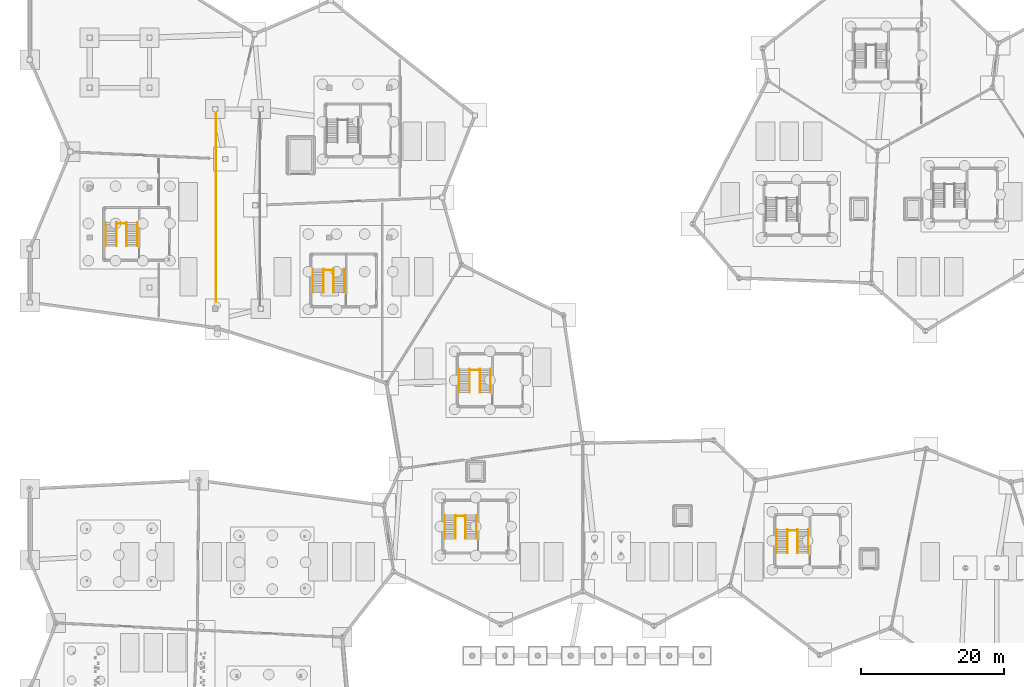
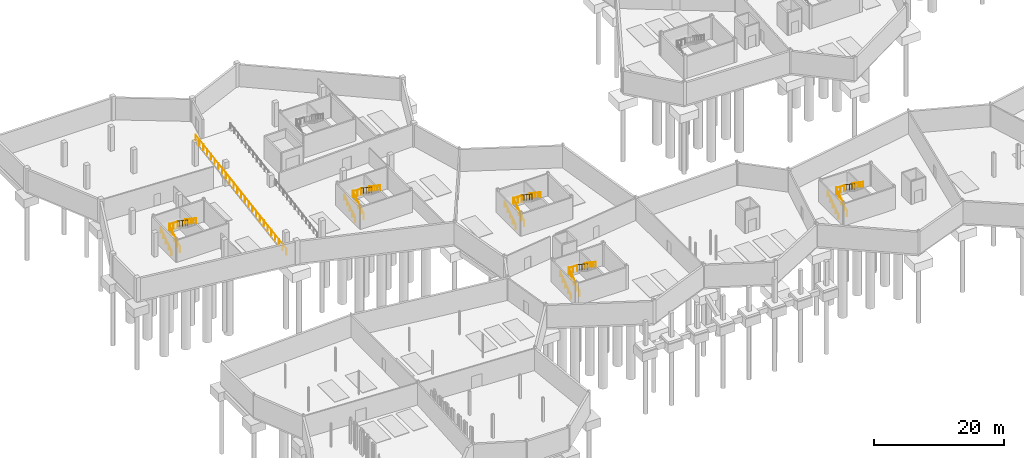
# One storey, part 35 of 37: 26 railings.
"""IFC4 building model written with IfcOpenShell, lengths in metres."""

from ifc_helpers import new_model, si_unit, direction, frame, origin, origin_2d, place, context, subcontext, project, spatial, circle, extrude, material, layer, layer_set, type_object, element, save


model = new_model("IFC4")

# Units and contexts
model_context = context("Model", 3, precision=1e-05, world=origin(), true_north=direction((0.0, 1.0)))
body_context = subcontext(model_context, "Body", "Model", "MODEL_VIEW")
ifc_project = project(units=[si_unit("LENGTHUNIT", "METRE"), si_unit("AREAUNIT", "SQUARE_METRE"), si_unit("VOLUMEUNIT", "CUBIC_METRE"), si_unit("PLANEANGLEUNIT", "RADIAN"), si_unit("MASSUNIT", "GRAM", prefix="KILO")], contexts=[model_context])

# Site, building, storey
site_placement = place(None, origin())
site = spatial("IfcSite", under=ifc_project, at=site_placement, CompositionType="ELEMENT")
building_placement = place(site_placement, origin())
building = spatial("IfcBuilding", under=site, at=building_placement, Name="Tameran Prism Museum", CompositionType="ELEMENT")
storey_placement = place(building_placement, frame((0.0, 0.0, -4.5)))
storey = spatial("IfcBuildingStorey", under=building, at=storey_placement, Name="B1", CompositionType="ELEMENT", Elevation=-4.5)

# Railings
ifc_material_1 = material(Name="Marine Stainless Steel 316", Category="steel")
ifc_layer_1 = layer(ifc_material_1, 0.054931640625)
ifc_layer_set_1 = layer_set([ifc_layer_1])
railing_type_1 = type_object("IfcRailingType", Name="RL-GR-1120", PredefinedType="GUARDRAIL", material=ifc_layer_set_1)
railing_1_placement = place(storey_placement, frame((59.669921875, 34.780029296875, 0.0)))
element("IfcRailing", 1, at=railing_1_placement, inside=storey, type_object=railing_type_1, Name="Stair Well Guardrail GR-S085", PredefinedType="GUARDRAIL", context=body_context, shape_type="SweptSolid", body=[
    extrude(circle(Radius=0.02392578125, at=origin_2d()), frame((0.0, 0.0, 1.1259765625), z_axis=(0.0, 0.827409030038, 0.561599765858), x_axis=(-1.0, 0.0, 0.0)), (0.0, 0.0, 1.0), 4.00634765625),
    extrude(circle(Radius=0.02099609375, at=origin_2d()), origin(), (0.0, 0.0, 1.0), 1.101806640625),
    extrude(circle(Radius=0.02099609375, at=origin_2d()), frame((0.0, 0.82861328125, 0.5625)), (0.0, 0.0, 1.0), 1.101806640625),
    extrude(circle(Radius=0.02099609375, at=origin_2d()), frame((0.0, 1.657470703125, 1.125)), (0.0, 0.0, 1.0), 1.101806640625),
    extrude(circle(Radius=0.02099609375, at=origin_2d()), frame((0.0, 2.486328125, 1.6875)), (0.0, 0.0, 1.0), 1.101806640625),
    extrude(circle(Radius=0.02099609375, at=origin_2d()), frame((0.0, 3.31494140625, 2.25)), (0.0, 0.0, 1.0), 1.101806640625),
])
railing_2_placement = place(storey_placement, frame((61.080078125, 38.094970703125, 2.25)))
element("IfcRailing", 2, at=railing_2_placement, inside=storey, type_object=railing_type_1, Name="Stair Well Guardrail GR-S086", PredefinedType="GUARDRAIL", context=body_context, shape_type="SweptSolid", body=[
    extrude(circle(Radius=0.02392578125, at=origin_2d()), frame((0.0, 0.0, 1.1259765625), z_axis=(0.0, -0.827409030038, 0.561599765858), x_axis=(1.0, 0.0, 0.0)), (0.0, 0.0, 1.0), 4.00634765625),
    extrude(circle(Radius=0.02099609375, at=origin_2d()), origin(), (0.0, 0.0, 1.0), 1.101806640625),
    extrude(circle(Radius=0.02099609375, at=origin_2d()), frame((0.0, -0.82861328125, 0.5625)), (0.0, 0.0, 1.0), 1.101806640625),
    extrude(circle(Radius=0.02099609375, at=origin_2d()), frame((0.0, -1.657470703125, 1.125)), (0.0, 0.0, 1.0), 1.101806640625),
    extrude(circle(Radius=0.02099609375, at=origin_2d()), frame((0.0, -2.486328125, 1.6875)), (0.0, 0.0, 1.0), 1.101806640625),
    extrude(circle(Radius=0.02099609375, at=origin_2d()), frame((0.0, -3.31494140625, 2.25)), (0.0, 0.0, 1.0), 1.101806640625),
])
railing_3_placement = place(storey_placement, frame((59.64990234375, 37.955078125, 2.25)))
element("IfcRailing", 3, at=railing_3_placement, inside=storey, type_object=railing_type_1, Name="Landing Well Guardrail GR-S087", PredefinedType="GUARDRAIL", context=body_context, shape_type="SweptSolid", body=[
    extrude(circle(Radius=0.02392578125, at=origin_2d()), frame((0.0, 0.0, 1.1259765625), z_axis=(1.0, 0.0, 0.0), x_axis=(0.0, 1.0, 0.0)), (0.0, 0.0, 1.0), 1.4501953125),
    extrude(circle(Radius=0.02099609375, at=origin_2d()), origin(), (0.0, 0.0, 1.0), 1.101806640625),
    extrude(circle(Radius=0.02099609375, at=origin_2d()), frame((0.72509765625, 0.0, 0.0)), (0.0, 0.0, 1.0), 1.101806640625),
    extrude(circle(Radius=0.02099609375, at=origin_2d()), frame((1.4501953125, 0.0, 0.0)), (0.0, 0.0, 1.0), 1.101806640625),
])
railing_4_placement = place(storey_placement, frame((61.669921875, 55.280029296875, 0.0)))
element("IfcRailing", 4, at=railing_4_placement, inside=storey, type_object=railing_type_1, Name="Stair Well Guardrail GR-S105", PredefinedType="GUARDRAIL", context=body_context, shape_type="SweptSolid", body=[
    extrude(circle(Radius=0.02392578125, at=origin_2d()), frame((0.0, 0.0, 1.1259765625), z_axis=(0.0, 0.827409030038, 0.561599765858), x_axis=(-1.0, 0.0, 0.0)), (0.0, 0.0, 1.0), 4.00634765625),
    extrude(circle(Radius=0.02099609375, at=origin_2d()), origin(), (0.0, 0.0, 1.0), 1.101806640625),
    extrude(circle(Radius=0.02099609375, at=origin_2d()), frame((0.0, 0.82861328125, 0.5625)), (0.0, 0.0, 1.0), 1.101806640625),
    extrude(circle(Radius=0.02099609375, at=origin_2d()), frame((0.0, 1.657470703125, 1.125)), (0.0, 0.0, 1.0), 1.101806640625),
    extrude(circle(Radius=0.02099609375, at=origin_2d()), frame((0.0, 2.486328125, 1.6875)), (0.0, 0.0, 1.0), 1.101806640625),
    extrude(circle(Radius=0.02099609375, at=origin_2d()), frame((0.0, 3.31494140625, 2.25)), (0.0, 0.0, 1.0), 1.101806640625),
])
railing_5_placement = place(storey_placement, frame((63.080078125, 58.594970703125, 2.25)))
element("IfcRailing", 5, at=railing_5_placement, inside=storey, type_object=railing_type_1, Name="Stair Well Guardrail GR-S106", PredefinedType="GUARDRAIL", context=body_context, shape_type="SweptSolid", body=[
    extrude(circle(Radius=0.02392578125, at=origin_2d()), frame((0.0, 0.0, 1.1259765625), z_axis=(0.0, -0.827409030038, 0.561599765858), x_axis=(1.0, 0.0, 0.0)), (0.0, 0.0, 1.0), 4.00634765625),
    extrude(circle(Radius=0.02099609375, at=origin_2d()), origin(), (0.0, 0.0, 1.0), 1.101806640625),
    extrude(circle(Radius=0.02099609375, at=origin_2d()), frame((0.0, -0.82861328125, 0.5625)), (0.0, 0.0, 1.0), 1.101806640625),
    extrude(circle(Radius=0.02099609375, at=origin_2d()), frame((0.0, -1.657470703125, 1.125)), (0.0, 0.0, 1.0), 1.101806640625),
    extrude(circle(Radius=0.02099609375, at=origin_2d()), frame((0.0, -2.486328125, 1.6875)), (0.0, 0.0, 1.0), 1.101806640625),
    extrude(circle(Radius=0.02099609375, at=origin_2d()), frame((0.0, -3.31494140625, 2.25)), (0.0, 0.0, 1.0), 1.101806640625),
])
railing_6_placement = place(storey_placement, frame((61.64990234375, 58.455078125, 2.25)))
element("IfcRailing", 6, at=railing_6_placement, inside=storey, type_object=railing_type_1, Name="Landing Well Guardrail GR-S107", PredefinedType="GUARDRAIL", context=body_context, shape_type="SweptSolid", body=[
    extrude(circle(Radius=0.02392578125, at=origin_2d()), frame((0.0, 0.0, 1.1259765625), z_axis=(1.0, 0.0, 0.0), x_axis=(0.0, 1.0, 0.0)), (0.0, 0.0, 1.0), 1.4501953125),
    extrude(circle(Radius=0.02099609375, at=origin_2d()), origin(), (0.0, 0.0, 1.0), 1.101806640625),
    extrude(circle(Radius=0.02099609375, at=origin_2d()), frame((0.72509765625, 0.0, 0.0)), (0.0, 0.0, 1.0), 1.101806640625),
    extrude(circle(Radius=0.02099609375, at=origin_2d()), frame((1.4501953125, 0.0, 0.0)), (0.0, 0.0, 1.0), 1.101806640625),
])
railing_7_placement = place(storey_placement, frame((106.169921875, 32.780029296875, 0.0)))
element("IfcRailing", 7, at=railing_7_placement, inside=storey, type_object=railing_type_1, Name="Stair Well Guardrail GR-S121", PredefinedType="GUARDRAIL", context=body_context, shape_type="SweptSolid", body=[
    extrude(circle(Radius=0.02392578125, at=origin_2d()), frame((0.0, 0.0, 1.1259765625), z_axis=(0.0, 0.827409030038, 0.561599765858), x_axis=(-1.0, 0.0, 0.0)), (0.0, 0.0, 1.0), 4.00634765625),
    extrude(circle(Radius=0.02099609375, at=origin_2d()), origin(), (0.0, 0.0, 1.0), 1.101806640625),
    extrude(circle(Radius=0.02099609375, at=origin_2d()), frame((0.0, 0.82861328125, 0.5625)), (0.0, 0.0, 1.0), 1.101806640625),
    extrude(circle(Radius=0.02099609375, at=origin_2d()), frame((0.0, 1.657470703125, 1.125)), (0.0, 0.0, 1.0), 1.101806640625),
    extrude(circle(Radius=0.02099609375, at=origin_2d()), frame((0.0, 2.486328125, 1.6875)), (0.0, 0.0, 1.0), 1.101806640625),
    extrude(circle(Radius=0.02099609375, at=origin_2d()), frame((0.0, 3.31494140625, 2.25)), (0.0, 0.0, 1.0), 1.101806640625),
])
railing_8_placement = place(storey_placement, frame((107.580078125, 36.094970703125, 2.25)))
element("IfcRailing", 8, at=railing_8_placement, inside=storey, type_object=railing_type_1, Name="Stair Well Guardrail GR-S122", PredefinedType="GUARDRAIL", context=body_context, shape_type="SweptSolid", body=[
    extrude(circle(Radius=0.02392578125, at=origin_2d()), frame((0.0, 0.0, 1.1259765625), z_axis=(0.0, -0.827409030038, 0.561599765858), x_axis=(1.0, 0.0, 0.0)), (0.0, 0.0, 1.0), 4.00634765625),
    extrude(circle(Radius=0.02099609375, at=origin_2d()), origin(), (0.0, 0.0, 1.0), 1.101806640625),
    extrude(circle(Radius=0.02099609375, at=origin_2d()), frame((0.0, -0.82861328125, 0.5625)), (0.0, 0.0, 1.0), 1.101806640625),
    extrude(circle(Radius=0.02099609375, at=origin_2d()), frame((0.0, -1.657470703125, 1.125)), (0.0, 0.0, 1.0), 1.101806640625),
    extrude(circle(Radius=0.02099609375, at=origin_2d()), frame((0.0, -2.486328125, 1.6875)), (0.0, 0.0, 1.0), 1.101806640625),
    extrude(circle(Radius=0.02099609375, at=origin_2d()), frame((0.0, -3.31494140625, 2.25)), (0.0, 0.0, 1.0), 1.101806640625),
])
railing_9_placement = place(storey_placement, frame((106.14990234375, 35.955078125, 2.25)))
element("IfcRailing", 9, at=railing_9_placement, inside=storey, type_object=railing_type_1, Name="Landing Well Guardrail GR-S123", PredefinedType="GUARDRAIL", context=body_context, shape_type="SweptSolid", body=[
    extrude(circle(Radius=0.02392578125, at=origin_2d()), frame((0.0, 0.0, 1.1259765625), z_axis=(1.0, 0.0, 0.0), x_axis=(0.0, 1.0, 0.0)), (0.0, 0.0, 1.0), 1.4501953125),
    extrude(circle(Radius=0.02099609375, at=origin_2d()), origin(), (0.0, 0.0, 1.0), 1.101806640625),
    extrude(circle(Radius=0.02099609375, at=origin_2d()), frame((0.72509765625, 0.0, 0.0)), (0.0, 0.0, 1.0), 1.101806640625),
    extrude(circle(Radius=0.02099609375, at=origin_2d()), frame((1.4501953125, 0.0, 0.0)), (0.0, 0.0, 1.0), 1.101806640625),
])
railing_10_placement = place(storey_placement, frame((41.169921875, 69.280029296875, 0.0)))
element("IfcRailing", 10, at=railing_10_placement, inside=storey, type_object=railing_type_1, Name="Stair Well Guardrail GR-S137", PredefinedType="GUARDRAIL", context=body_context, shape_type="SweptSolid", body=[
    extrude(circle(Radius=0.02392578125, at=origin_2d()), frame((0.0, 0.0, 1.1259765625), z_axis=(0.0, 0.827409030038, 0.561599765858), x_axis=(-1.0, 0.0, 0.0)), (0.0, 0.0, 1.0), 4.00634765625),
    extrude(circle(Radius=0.02099609375, at=origin_2d()), origin(), (0.0, 0.0, 1.0), 1.101806640625),
    extrude(circle(Radius=0.02099609375, at=origin_2d()), frame((0.0, 0.82861328125, 0.5625)), (0.0, 0.0, 1.0), 1.101806640625),
    extrude(circle(Radius=0.02099609375, at=origin_2d()), frame((0.0, 1.657470703125, 1.125)), (0.0, 0.0, 1.0), 1.101806640625),
    extrude(circle(Radius=0.02099609375, at=origin_2d()), frame((0.0, 2.486328125, 1.6875)), (0.0, 0.0, 1.0), 1.101806640625),
    extrude(circle(Radius=0.02099609375, at=origin_2d()), frame((0.0, 3.31494140625, 2.25)), (0.0, 0.0, 1.0), 1.101806640625),
])
railing_11_placement = place(storey_placement, frame((42.580078125, 72.594970703125, 2.25)))
element("IfcRailing", 11, at=railing_11_placement, inside=storey, type_object=railing_type_1, Name="Stair Well Guardrail GR-S138", PredefinedType="GUARDRAIL", context=body_context, shape_type="SweptSolid", body=[
    extrude(circle(Radius=0.02392578125, at=origin_2d()), frame((0.0, 0.0, 1.1259765625), z_axis=(0.0, -0.827409030038, 0.561599765858), x_axis=(1.0, 0.0, 0.0)), (0.0, 0.0, 1.0), 4.00634765625),
    extrude(circle(Radius=0.02099609375, at=origin_2d()), origin(), (0.0, 0.0, 1.0), 1.101806640625),
    extrude(circle(Radius=0.02099609375, at=origin_2d()), frame((0.0, -0.82861328125, 0.5625)), (0.0, 0.0, 1.0), 1.101806640625),
    extrude(circle(Radius=0.02099609375, at=origin_2d()), frame((0.0, -1.657470703125, 1.125)), (0.0, 0.0, 1.0), 1.101806640625),
    extrude(circle(Radius=0.02099609375, at=origin_2d()), frame((0.0, -2.486328125, 1.6875)), (0.0, 0.0, 1.0), 1.101806640625),
    extrude(circle(Radius=0.02099609375, at=origin_2d()), frame((0.0, -3.31494140625, 2.25)), (0.0, 0.0, 1.0), 1.101806640625),
])
railing_12_placement = place(storey_placement, frame((41.14990234375, 72.455078125, 2.25)))
element("IfcRailing", 12, at=railing_12_placement, inside=storey, type_object=railing_type_1, Name="Landing Well Guardrail GR-S139", PredefinedType="GUARDRAIL", context=body_context, shape_type="SweptSolid", body=[
    extrude(circle(Radius=0.02392578125, at=origin_2d()), frame((0.0, 0.0, 1.1259765625), z_axis=(1.0, 0.0, 0.0), x_axis=(0.0, 1.0, 0.0)), (0.0, 0.0, 1.0), 1.4501953125),
    extrude(circle(Radius=0.02099609375, at=origin_2d()), origin(), (0.0, 0.0, 1.0), 1.101806640625),
    extrude(circle(Radius=0.02099609375, at=origin_2d()), frame((0.72509765625, 0.0, 0.0)), (0.0, 0.0, 1.0), 1.101806640625),
    extrude(circle(Radius=0.02099609375, at=origin_2d()), frame((1.4501953125, 0.0, 0.0)), (0.0, 0.0, 1.0), 1.101806640625),
])
railing_13_placement = place(storey_placement, frame((12.169921875, 75.780029296875, 0.0)))
element("IfcRailing", 13, at=railing_13_placement, inside=storey, type_object=railing_type_1, Name="Stair Well Guardrail GR-S161", PredefinedType="GUARDRAIL", context=body_context, shape_type="SweptSolid", body=[
    extrude(circle(Radius=0.02392578125, at=origin_2d()), frame((0.0, 0.0, 1.1259765625), z_axis=(0.0, 0.827409030038, 0.561599765858), x_axis=(-1.0, 0.0, 0.0)), (0.0, 0.0, 1.0), 4.00634765625),
    extrude(circle(Radius=0.02099609375, at=origin_2d()), origin(), (0.0, 0.0, 1.0), 1.101806640625),
    extrude(circle(Radius=0.02099609375, at=origin_2d()), frame((0.0, 0.82861328125, 0.5625)), (0.0, 0.0, 1.0), 1.101806640625),
    extrude(circle(Radius=0.02099609375, at=origin_2d()), frame((0.0, 1.657470703125, 1.125)), (0.0, 0.0, 1.0), 1.101806640625),
    extrude(circle(Radius=0.02099609375, at=origin_2d()), frame((0.0, 2.486328125, 1.6875)), (0.0, 0.0, 1.0), 1.101806640625),
    extrude(circle(Radius=0.02099609375, at=origin_2d()), frame((0.0, 3.31494140625, 2.25)), (0.0, 0.0, 1.0), 1.101806640625),
])
railing_14_placement = place(storey_placement, frame((13.580078125, 79.094970703125, 2.25)))
element("IfcRailing", 14, at=railing_14_placement, inside=storey, type_object=railing_type_1, Name="Stair Well Guardrail GR-S162", PredefinedType="GUARDRAIL", context=body_context, shape_type="SweptSolid", body=[
    extrude(circle(Radius=0.02392578125, at=origin_2d()), frame((0.0, 0.0, 1.1259765625), z_axis=(0.0, -0.827409030038, 0.561599765858), x_axis=(1.0, 0.0, 0.0)), (0.0, 0.0, 1.0), 4.00634765625),
    extrude(circle(Radius=0.02099609375, at=origin_2d()), origin(), (0.0, 0.0, 1.0), 1.101806640625),
    extrude(circle(Radius=0.02099609375, at=origin_2d()), frame((0.0, -0.82861328125, 0.5625)), (0.0, 0.0, 1.0), 1.101806640625),
    extrude(circle(Radius=0.02099609375, at=origin_2d()), frame((0.0, -1.657470703125, 1.125)), (0.0, 0.0, 1.0), 1.101806640625),
    extrude(circle(Radius=0.02099609375, at=origin_2d()), frame((0.0, -2.486328125, 1.6875)), (0.0, 0.0, 1.0), 1.101806640625),
    extrude(circle(Radius=0.02099609375, at=origin_2d()), frame((0.0, -3.31494140625, 2.25)), (0.0, 0.0, 1.0), 1.101806640625),
])
railing_15_placement = place(storey_placement, frame((12.14990234375, 78.955078125, 2.25)))
element("IfcRailing", 15, at=railing_15_placement, inside=storey, type_object=railing_type_1, Name="Landing Well Guardrail GR-S163", PredefinedType="GUARDRAIL", context=body_context, shape_type="SweptSolid", body=[
    extrude(circle(Radius=0.02392578125, at=origin_2d()), frame((0.0, 0.0, 1.1259765625), z_axis=(1.0, 0.0, 0.0), x_axis=(0.0, 1.0, 0.0)), (0.0, 0.0, 1.0), 1.4501953125),
    extrude(circle(Radius=0.02099609375, at=origin_2d()), origin(), (0.0, 0.0, 1.0), 1.101806640625),
    extrude(circle(Radius=0.02099609375, at=origin_2d()), frame((0.72509765625, 0.0, 0.0)), (0.0, 0.0, 1.0), 1.101806640625),
    extrude(circle(Radius=0.02099609375, at=origin_2d()), frame((1.4501953125, 0.0, 0.0)), (0.0, 0.0, 1.0), 1.101806640625),
])
railing_16_placement = place(storey_placement, frame((26.10009765625, 67.0, 0.0)))
element("IfcRailing", 16, at=railing_16_placement, inside=storey, type_object=railing_type_1, Name="Ramp Flight Guardrail GR-RS01", PredefinedType="GUARDRAIL", context=body_context, shape_type="SweptSolid", body=[
    extrude(circle(Radius=0.02392578125, at=origin_2d()), frame((0.0, 0.0, 1.1259765625), z_axis=(0.0, 0.987330371277, 0.158678095384), x_axis=(-1.0, 0.0, 0.0)), (0.0, 0.0, 1.0), 28.359375),
    extrude(circle(Radius=0.02099609375, at=origin_2d()), origin(), (0.0, 0.0, 1.0), 1.101806640625),
    extrude(circle(Radius=0.02099609375, at=origin_2d()), frame((0.0, 1.166748046875, 0.1875)), (0.0, 0.0, 1.0), 1.101806640625),
    extrude(circle(Radius=0.02099609375, at=origin_2d()), frame((0.0, 2.333251953125, 0.375)), (0.0, 0.0, 1.0), 1.101806640625),
    extrude(circle(Radius=0.02099609375, at=origin_2d()), frame((0.0, 3.5, 0.5625)), (0.0, 0.0, 1.0), 1.101806640625),
    extrude(circle(Radius=0.02099609375, at=origin_2d()), frame((0.0, 4.666748046875, 0.75)), (0.0, 0.0, 1.0), 1.101806640625),
    extrude(circle(Radius=0.02099609375, at=origin_2d()), frame((0.0, 5.833251953125, 0.9375)), (0.0, 0.0, 1.0), 1.101806640625),
    extrude(circle(Radius=0.02099609375, at=origin_2d()), frame((0.0, 7.0, 1.125)), (0.0, 0.0, 1.0), 1.101806640625),
    extrude(circle(Radius=0.02099609375, at=origin_2d()), frame((0.0, 8.166748046875, 1.3125)), (0.0, 0.0, 1.0), 1.101806640625),
    extrude(circle(Radius=0.02099609375, at=origin_2d()), frame((0.0, 9.333251953125, 1.5)), (0.0, 0.0, 1.0), 1.101806640625),
    extrude(circle(Radius=0.02099609375, at=origin_2d()), frame((0.0, 10.5, 1.6875)), (0.0, 0.0, 1.0), 1.101806640625),
    extrude(circle(Radius=0.02099609375, at=origin_2d()), frame((0.0, 11.666748046875, 1.875)), (0.0, 0.0, 1.0), 1.101806640625),
    extrude(circle(Radius=0.02099609375, at=origin_2d()), frame((0.0, 12.833251953125, 2.0625)), (0.0, 0.0, 1.0), 1.101806640625),
    extrude(circle(Radius=0.02099609375, at=origin_2d()), frame((0.0, 14.0, 2.25)), (0.0, 0.0, 1.0), 1.101806640625),
    extrude(circle(Radius=0.02099609375, at=origin_2d()), frame((0.0, 15.166748046875, 2.4375)), (0.0, 0.0, 1.0), 1.101806640625),
    extrude(circle(Radius=0.02099609375, at=origin_2d()), frame((0.0, 16.333251953125, 2.625)), (0.0, 0.0, 1.0), 1.101806640625),
    extrude(circle(Radius=0.02099609375, at=origin_2d()), frame((0.0, 17.5, 2.8125)), (0.0, 0.0, 1.0), 1.101806640625),
    extrude(circle(Radius=0.02099609375, at=origin_2d()), frame((0.0, 18.666748046875, 3.0)), (0.0, 0.0, 1.0), 1.101806640625),
    extrude(circle(Radius=0.02099609375, at=origin_2d()), frame((0.0, 19.833251953125, 3.1875)), (0.0, 0.0, 1.0), 1.101806640625),
    extrude(circle(Radius=0.02099609375, at=origin_2d()), frame((0.0, 21.0, 3.375)), (0.0, 0.0, 1.0), 1.101806640625),
    extrude(circle(Radius=0.02099609375, at=origin_2d()), frame((0.0, 22.166748046875, 3.5625)), (0.0, 0.0, 1.0), 1.101806640625),
    extrude(circle(Radius=0.02099609375, at=origin_2d()), frame((0.0, 23.333251953125, 3.75)), (0.0, 0.0, 1.0), 1.101806640625),
    extrude(circle(Radius=0.02099609375, at=origin_2d()), frame((0.0, 24.5, 3.9375)), (0.0, 0.0, 1.0), 1.101806640625),
    extrude(circle(Radius=0.02099609375, at=origin_2d()), frame((0.0, 25.666748046875, 4.125)), (0.0, 0.0, 1.0), 1.101806640625),
    extrude(circle(Radius=0.02099609375, at=origin_2d()), frame((0.0, 26.833251953125, 4.3125)), (0.0, 0.0, 1.0), 1.101806640625),
    extrude(circle(Radius=0.02099609375, at=origin_2d()), frame((0.0, 28.0, 4.5)), (0.0, 0.0, 1.0), 1.101806640625),
])
ifc_material_2 = material(Name="Brushed Stainless Steel 316", Category="steel")
ifc_layer_2 = layer(ifc_material_2, 0.048095703125)
ifc_layer_set_2 = layer_set([ifc_layer_2])
railing_type_2 = type_object("IfcRailingType", Name="RL-HR-920", PredefinedType="HANDRAIL", material=ifc_layer_set_2)
railing_17_placement = place(storey_placement, frame((58.159912109375, 34.780029296875, 0.0)))
element("IfcRailing", 17, at=railing_17_placement, inside=storey, type_object=railing_type_2, Name="Stair Flight Handrail HR-043", PredefinedType="HANDRAIL", context=body_context, shape_type="SweptSolid", body=[
    extrude(circle(Radius=0.02392578125, at=origin_2d()), frame((0.0, 0.0, 0.89599609375), z_axis=(0.0, 0.827409030038, 0.561599765858), x_axis=(-1.0, 0.0, 0.0)), (0.0, 0.0, 1.0), 4.00634765625),
    extrude(circle(Radius=0.02099609375, at=origin_2d()), origin(), (0.0, 0.0, 1.0), 0.871826171875),
    extrude(circle(Radius=0.02099609375, at=origin_2d()), frame((0.0, 0.82861328125, 0.5625)), (0.0, 0.0, 1.0), 0.871826171875),
    extrude(circle(Radius=0.02099609375, at=origin_2d()), frame((0.0, 1.657470703125, 1.125)), (0.0, 0.0, 1.0), 0.871826171875),
    extrude(circle(Radius=0.02099609375, at=origin_2d()), frame((0.0, 2.486328125, 1.6875)), (0.0, 0.0, 1.0), 0.871826171875),
    extrude(circle(Radius=0.02099609375, at=origin_2d()), frame((0.0, 3.31494140625, 2.25)), (0.0, 0.0, 1.0), 0.871826171875),
])
railing_18_placement = place(storey_placement, frame((62.590087890625, 38.094970703125, 2.25)))
element("IfcRailing", 18, at=railing_18_placement, inside=storey, type_object=railing_type_2, Name="Stair Flight Handrail HR-044", PredefinedType="HANDRAIL", context=body_context, shape_type="SweptSolid", body=[
    extrude(circle(Radius=0.02392578125, at=origin_2d()), frame((0.0, 0.0, 0.89599609375), z_axis=(0.0, -0.827409030038, 0.561599765858), x_axis=(1.0, 0.0, 0.0)), (0.0, 0.0, 1.0), 4.00634765625),
    extrude(circle(Radius=0.02099609375, at=origin_2d()), origin(), (0.0, 0.0, 1.0), 0.871826171875),
    extrude(circle(Radius=0.02099609375, at=origin_2d()), frame((0.0, -0.82861328125, 0.5625)), (0.0, 0.0, 1.0), 0.871826171875),
    extrude(circle(Radius=0.02099609375, at=origin_2d()), frame((0.0, -1.657470703125, 1.125)), (0.0, 0.0, 1.0), 0.871826171875),
    extrude(circle(Radius=0.02099609375, at=origin_2d()), frame((0.0, -2.486328125, 1.6875)), (0.0, 0.0, 1.0), 0.871826171875),
    extrude(circle(Radius=0.02099609375, at=origin_2d()), frame((0.0, -3.31494140625, 2.25)), (0.0, 0.0, 1.0), 0.871826171875),
])
railing_19_placement = place(storey_placement, frame((60.159912109375, 55.280029296875, 0.0)))
element("IfcRailing", 19, at=railing_19_placement, inside=storey, type_object=railing_type_2, Name="Stair Flight Handrail HR-053", PredefinedType="HANDRAIL", context=body_context, shape_type="SweptSolid", body=[
    extrude(circle(Radius=0.02392578125, at=origin_2d()), frame((0.0, 0.0, 0.89599609375), z_axis=(0.0, 0.827409030038, 0.561599765858), x_axis=(-1.0, 0.0, 0.0)), (0.0, 0.0, 1.0), 4.00634765625),
    extrude(circle(Radius=0.02099609375, at=origin_2d()), origin(), (0.0, 0.0, 1.0), 0.871826171875),
    extrude(circle(Radius=0.02099609375, at=origin_2d()), frame((0.0, 0.82861328125, 0.5625)), (0.0, 0.0, 1.0), 0.871826171875),
    extrude(circle(Radius=0.02099609375, at=origin_2d()), frame((0.0, 1.657470703125, 1.125)), (0.0, 0.0, 1.0), 0.871826171875),
    extrude(circle(Radius=0.02099609375, at=origin_2d()), frame((0.0, 2.486328125, 1.6875)), (0.0, 0.0, 1.0), 0.871826171875),
    extrude(circle(Radius=0.02099609375, at=origin_2d()), frame((0.0, 3.31494140625, 2.25)), (0.0, 0.0, 1.0), 0.871826171875),
])
railing_20_placement = place(storey_placement, frame((64.590087890625, 58.594970703125, 2.25)))
element("IfcRailing", 20, at=railing_20_placement, inside=storey, type_object=railing_type_2, Name="Stair Flight Handrail HR-054", PredefinedType="HANDRAIL", context=body_context, shape_type="SweptSolid", body=[
    extrude(circle(Radius=0.02392578125, at=origin_2d()), frame((0.0, 0.0, 0.89599609375), z_axis=(0.0, -0.827409030038, 0.561599765858), x_axis=(1.0, 0.0, 0.0)), (0.0, 0.0, 1.0), 4.00634765625),
    extrude(circle(Radius=0.02099609375, at=origin_2d()), origin(), (0.0, 0.0, 1.0), 0.871826171875),
    extrude(circle(Radius=0.02099609375, at=origin_2d()), frame((0.0, -0.82861328125, 0.5625)), (0.0, 0.0, 1.0), 0.871826171875),
    extrude(circle(Radius=0.02099609375, at=origin_2d()), frame((0.0, -1.657470703125, 1.125)), (0.0, 0.0, 1.0), 0.871826171875),
    extrude(circle(Radius=0.02099609375, at=origin_2d()), frame((0.0, -2.486328125, 1.6875)), (0.0, 0.0, 1.0), 0.871826171875),
    extrude(circle(Radius=0.02099609375, at=origin_2d()), frame((0.0, -3.31494140625, 2.25)), (0.0, 0.0, 1.0), 0.871826171875),
])
railing_21_placement = place(storey_placement, frame((104.659912109375, 32.780029296875, 0.0)))
element("IfcRailing", 21, at=railing_21_placement, inside=storey, type_object=railing_type_2, Name="Stair Flight Handrail HR-061", PredefinedType="HANDRAIL", context=body_context, shape_type="SweptSolid", body=[
    extrude(circle(Radius=0.02392578125, at=origin_2d()), frame((0.0, 0.0, 0.89599609375), z_axis=(0.0, 0.827409030038, 0.561599765858), x_axis=(-1.0, 0.0, 0.0)), (0.0, 0.0, 1.0), 4.00634765625),
    extrude(circle(Radius=0.02099609375, at=origin_2d()), origin(), (0.0, 0.0, 1.0), 0.871826171875),
    extrude(circle(Radius=0.02099609375, at=origin_2d()), frame((0.0, 0.82861328125, 0.5625)), (0.0, 0.0, 1.0), 0.871826171875),
    extrude(circle(Radius=0.02099609375, at=origin_2d()), frame((0.0, 1.657470703125, 1.125)), (0.0, 0.0, 1.0), 0.871826171875),
    extrude(circle(Radius=0.02099609375, at=origin_2d()), frame((0.0, 2.486328125, 1.6875)), (0.0, 0.0, 1.0), 0.871826171875),
    extrude(circle(Radius=0.02099609375, at=origin_2d()), frame((0.0, 3.31494140625, 2.25)), (0.0, 0.0, 1.0), 0.871826171875),
])
railing_22_placement = place(storey_placement, frame((109.090087890625, 36.094970703125, 2.25)))
element("IfcRailing", 22, at=railing_22_placement, inside=storey, type_object=railing_type_2, Name="Stair Flight Handrail HR-062", PredefinedType="HANDRAIL", context=body_context, shape_type="SweptSolid", body=[
    extrude(circle(Radius=0.02392578125, at=origin_2d()), frame((0.0, 0.0, 0.89599609375), z_axis=(0.0, -0.827409030038, 0.561599765858), x_axis=(1.0, 0.0, 0.0)), (0.0, 0.0, 1.0), 4.00634765625),
    extrude(circle(Radius=0.02099609375, at=origin_2d()), origin(), (0.0, 0.0, 1.0), 0.871826171875),
    extrude(circle(Radius=0.02099609375, at=origin_2d()), frame((0.0, -0.82861328125, 0.5625)), (0.0, 0.0, 1.0), 0.871826171875),
    extrude(circle(Radius=0.02099609375, at=origin_2d()), frame((0.0, -1.657470703125, 1.125)), (0.0, 0.0, 1.0), 0.871826171875),
    extrude(circle(Radius=0.02099609375, at=origin_2d()), frame((0.0, -2.486328125, 1.6875)), (0.0, 0.0, 1.0), 0.871826171875),
    extrude(circle(Radius=0.02099609375, at=origin_2d()), frame((0.0, -3.31494140625, 2.25)), (0.0, 0.0, 1.0), 0.871826171875),
])
railing_23_placement = place(storey_placement, frame((39.659912109375, 69.280029296875, 0.0)))
element("IfcRailing", 23, at=railing_23_placement, inside=storey, type_object=railing_type_2, Name="Stair Flight Handrail HR-069", PredefinedType="HANDRAIL", context=body_context, shape_type="SweptSolid", body=[
    extrude(circle(Radius=0.02392578125, at=origin_2d()), frame((0.0, 0.0, 0.89599609375), z_axis=(0.0, 0.827409030038, 0.561599765858), x_axis=(-1.0, 0.0, 0.0)), (0.0, 0.0, 1.0), 4.00634765625),
    extrude(circle(Radius=0.02099609375, at=origin_2d()), origin(), (0.0, 0.0, 1.0), 0.871826171875),
    extrude(circle(Radius=0.02099609375, at=origin_2d()), frame((0.0, 0.82861328125, 0.5625)), (0.0, 0.0, 1.0), 0.871826171875),
    extrude(circle(Radius=0.02099609375, at=origin_2d()), frame((0.0, 1.657470703125, 1.125)), (0.0, 0.0, 1.0), 0.871826171875),
    extrude(circle(Radius=0.02099609375, at=origin_2d()), frame((0.0, 2.486328125, 1.6875)), (0.0, 0.0, 1.0), 0.871826171875),
    extrude(circle(Radius=0.02099609375, at=origin_2d()), frame((0.0, 3.31494140625, 2.25)), (0.0, 0.0, 1.0), 0.871826171875),
])
railing_24_placement = place(storey_placement, frame((44.090087890625, 72.594970703125, 2.25)))
element("IfcRailing", 24, at=railing_24_placement, inside=storey, type_object=railing_type_2, Name="Stair Flight Handrail HR-070", PredefinedType="HANDRAIL", context=body_context, shape_type="SweptSolid", body=[
    extrude(circle(Radius=0.02392578125, at=origin_2d()), frame((0.0, 0.0, 0.89599609375), z_axis=(0.0, -0.827409030038, 0.561599765858), x_axis=(1.0, 0.0, 0.0)), (0.0, 0.0, 1.0), 4.00634765625),
    extrude(circle(Radius=0.02099609375, at=origin_2d()), origin(), (0.0, 0.0, 1.0), 0.871826171875),
    extrude(circle(Radius=0.02099609375, at=origin_2d()), frame((0.0, -0.82861328125, 0.5625)), (0.0, 0.0, 1.0), 0.871826171875),
    extrude(circle(Radius=0.02099609375, at=origin_2d()), frame((0.0, -1.657470703125, 1.125)), (0.0, 0.0, 1.0), 0.871826171875),
    extrude(circle(Radius=0.02099609375, at=origin_2d()), frame((0.0, -2.486328125, 1.6875)), (0.0, 0.0, 1.0), 0.871826171875),
    extrude(circle(Radius=0.02099609375, at=origin_2d()), frame((0.0, -3.31494140625, 2.25)), (0.0, 0.0, 1.0), 0.871826171875),
])
railing_25_placement = place(storey_placement, frame((10.659912109375, 75.780029296875, 0.0)))
element("IfcRailing", 25, at=railing_25_placement, inside=storey, type_object=railing_type_2, Name="Stair Flight Handrail HR-081", PredefinedType="HANDRAIL", context=body_context, shape_type="SweptSolid", body=[
    extrude(circle(Radius=0.02392578125, at=origin_2d()), frame((0.0, 0.0, 0.89599609375), z_axis=(0.0, 0.827409030038, 0.561599765858), x_axis=(-1.0, 0.0, 0.0)), (0.0, 0.0, 1.0), 4.00634765625),
    extrude(circle(Radius=0.02099609375, at=origin_2d()), origin(), (0.0, 0.0, 1.0), 0.871826171875),
    extrude(circle(Radius=0.02099609375, at=origin_2d()), frame((0.0, 0.82861328125, 0.5625)), (0.0, 0.0, 1.0), 0.871826171875),
    extrude(circle(Radius=0.02099609375, at=origin_2d()), frame((0.0, 1.657470703125, 1.125)), (0.0, 0.0, 1.0), 0.871826171875),
    extrude(circle(Radius=0.02099609375, at=origin_2d()), frame((0.0, 2.486328125, 1.6875)), (0.0, 0.0, 1.0), 0.871826171875),
    extrude(circle(Radius=0.02099609375, at=origin_2d()), frame((0.0, 3.31494140625, 2.25)), (0.0, 0.0, 1.0), 0.871826171875),
])
railing_26_placement = place(storey_placement, frame((15.090087890625, 79.094970703125, 2.25)))
element("IfcRailing", 26, at=railing_26_placement, inside=storey, type_object=railing_type_2, Name="Stair Flight Handrail HR-082", PredefinedType="HANDRAIL", context=body_context, shape_type="SweptSolid", body=[
    extrude(circle(Radius=0.02392578125, at=origin_2d()), frame((0.0, 0.0, 0.89599609375), z_axis=(0.0, -0.827409030038, 0.561599765858), x_axis=(1.0, 0.0, 0.0)), (0.0, 0.0, 1.0), 4.00634765625),
    extrude(circle(Radius=0.02099609375, at=origin_2d()), origin(), (0.0, 0.0, 1.0), 0.871826171875),
    extrude(circle(Radius=0.02099609375, at=origin_2d()), frame((0.0, -0.82861328125, 0.5625)), (0.0, 0.0, 1.0), 0.871826171875),
    extrude(circle(Radius=0.02099609375, at=origin_2d()), frame((0.0, -1.657470703125, 1.125)), (0.0, 0.0, 1.0), 0.871826171875),
    extrude(circle(Radius=0.02099609375, at=origin_2d()), frame((0.0, -2.486328125, 1.6875)), (0.0, 0.0, 1.0), 0.871826171875),
    extrude(circle(Radius=0.02099609375, at=origin_2d()), frame((0.0, -3.31494140625, 2.25)), (0.0, 0.0, 1.0), 0.871826171875),
])

save(model, "model.ifc")
